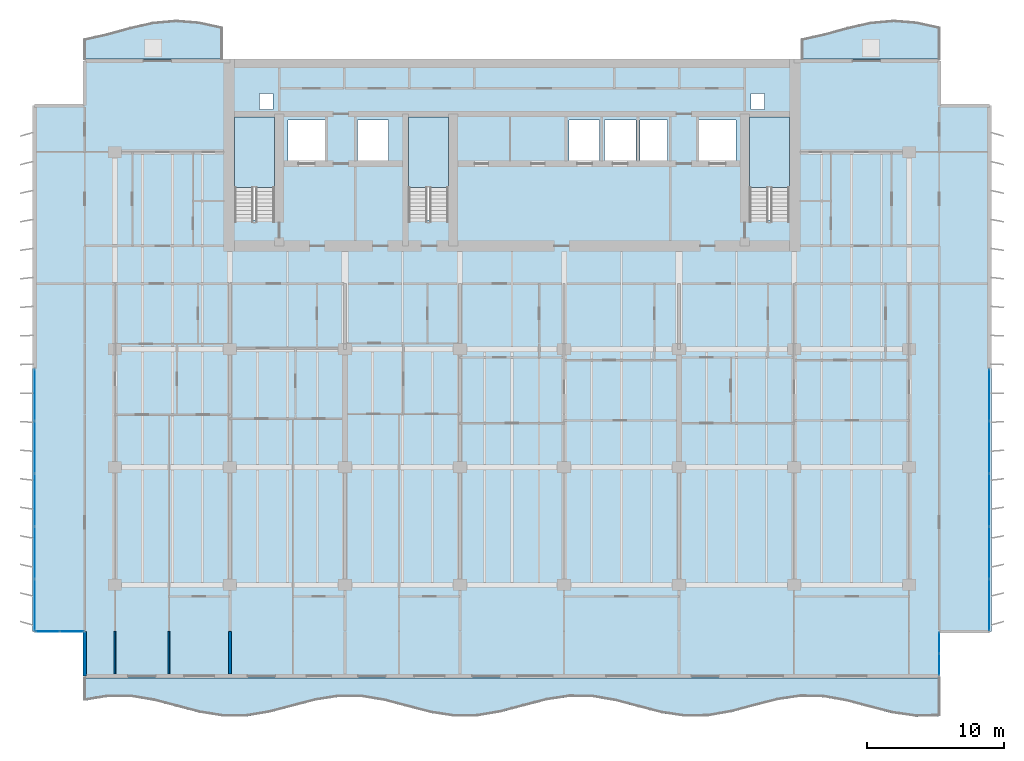
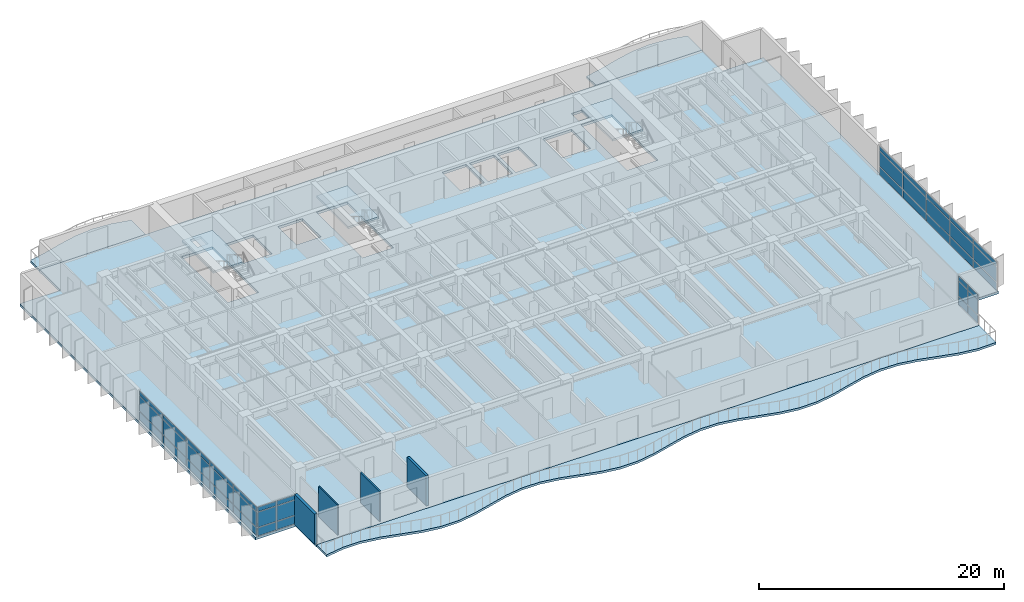
# One storey, part 5 of 16: 42 plates, 7 slabs, 4 walls, 7 elements without a shape of their own.
"""IFC4 building model written with IfcOpenShell, lengths in metres."""

from ifc_helpers import new_model, si_unit, direction, frame, frame_2d, origin, origin_2d, place, context, subcontext, project, spatial, polyline, rectangle, outline, extrude, material, layer, layer_set, type_object, element, aggregate, save


model = new_model("IFC4")

# Units and contexts
model_context = context("Model", 3, precision=1e-05, world=origin(), true_north=direction((0.0, 1.0)))
body_context = subcontext(model_context, "Body", "Model", "MODEL_VIEW")
ifc_project = project(units=[si_unit("LENGTHUNIT", "METRE"), si_unit("AREAUNIT", "SQUARE_METRE"), si_unit("VOLUMEUNIT", "CUBIC_METRE"), si_unit("PLANEANGLEUNIT", "RADIAN"), si_unit("MASSUNIT", "GRAM", prefix="KILO")], contexts=[model_context])

# Site, building, storey
site_placement = place(None, origin())
site = spatial("IfcSite", under=ifc_project, at=site_placement, CompositionType="ELEMENT")
building_placement = place(site_placement, origin())
building = spatial("IfcBuilding", under=site, at=building_placement, Name="Caelmar Bay Residences", CompositionType="ELEMENT")
storey_placement = place(building_placement, frame((0.0, 0.0, 148.800048828125)))
storey = spatial("IfcBuildingStorey", under=building, at=storey_placement, Name="L41", CompositionType="ELEMENT", Elevation=148.800048828125)

# Curtain wall, plates
ifc_material_1 = material(Name="Anodised bronze aluminium 6063-T6 and laminated glass", Category="aluminium")
ifc_layer_1 = layer(ifc_material_1, 0.179931640625)
ifc_layer_set_1 = layer_set([ifc_layer_1], Name="Anodised bronze aluminium 6063-T6 and laminated glass")
curtain_wall_type_1 = type_object("IfcCurtainWallType", Name="CW6-NTC", PredefinedType="NOTDEFINED", material=ifc_layer_set_1)
curtain_wall_1_placement = place(storey_placement, origin())
curtain_wall_1 = element("IfcCurtainWall", 1, at=curtain_wall_1_placement, inside=storey, type_object=curtain_wall_type_1, Name="CW6 curtain wall L41", PredefinedType="NOTDEFINED")
ifc_material_2 = material(Name="Bronze-tinted laminated low-E hurricane glass 28 mm", Category="glass")
ifc_layer_2 = layer(ifc_material_2, 0.028076171875)
ifc_layer_set_2 = layer_set([ifc_layer_2], Name="Bronze-tinted laminated low-E hurricane glass 28 mm")
plate_type = type_object("IfcPlateType", Name="CWP-GLZ28", PredefinedType="CURTAIN_PANEL", material=ifc_layer_set_2)
plate_1_placement = place(storey_placement, frame((4.982421875, 8.800048828125, 0.080078125), z_axis=(0.0, 0.0, 1.0), x_axis=(1.0, 0.0, 0.0)))
plate_1 = element("IfcPlate", 2, at=plate_1_placement, type_object=plate_type, Name="CW6 panel 1.1", PredefinedType="CURTAIN_PANEL", context=body_context, shape_type="SweptSolid", body=[
    extrude(rectangle(XDim=1.705078125, YDim=0.028076171875, at=origin_2d()), origin(), (0.0, 0.0, 1.0), 0.780029296875),
])
plate_2_placement = place(storey_placement, frame((4.982421875, 8.800048828125, 0.93994140625), z_axis=(0.0, 0.0, 1.0), x_axis=(1.0, 0.0, 0.0)))
plate_2 = element("IfcPlate", 3, at=plate_2_placement, type_object=plate_type, Name="CW6 panel 1.2", PredefinedType="CURTAIN_PANEL", context=body_context, shape_type="SweptSolid", body=[
    extrude(rectangle(XDim=1.705078125, YDim=0.028076171875, at=origin_2d()), origin(), (0.0, 0.0, 1.0), 1.469970703125),
])
plate_3_placement = place(storey_placement, frame((4.982421875, 8.800048828125, 2.48974609375), z_axis=(0.0, 0.0, 1.0), x_axis=(1.0, 0.0, 0.0)))
plate_3 = element("IfcPlate", 4, at=plate_3_placement, type_object=plate_type, Name="CW6 panel 1.3", PredefinedType="CURTAIN_PANEL", context=body_context, shape_type="SweptSolid", body=[
    extrude(rectangle(XDim=1.705078125, YDim=0.028076171875, at=origin_2d()), origin(), (0.0, 0.0, 1.0), 0.429931640625),
])
plate_4_placement = place(storey_placement, frame((6.767578125, 8.800048828125, 0.080078125), z_axis=(0.0, 0.0, 1.0), x_axis=(1.0, 0.0, 0.0)))
plate_4 = element("IfcPlate", 5, at=plate_4_placement, type_object=plate_type, Name="CW6 panel 2.1", PredefinedType="CURTAIN_PANEL", context=body_context, shape_type="SweptSolid", body=[
    extrude(rectangle(XDim=1.705078125, YDim=0.028076171875, at=origin_2d()), origin(), (0.0, 0.0, 1.0), 0.780029296875),
])
plate_5_placement = place(storey_placement, frame((6.767578125, 8.800048828125, 0.93994140625), z_axis=(0.0, 0.0, 1.0), x_axis=(1.0, 0.0, 0.0)))
plate_5 = element("IfcPlate", 6, at=plate_5_placement, type_object=plate_type, Name="CW6 panel 2.2", PredefinedType="CURTAIN_PANEL", context=body_context, shape_type="SweptSolid", body=[
    extrude(rectangle(XDim=1.705078125, YDim=0.028076171875, at=origin_2d()), origin(), (0.0, 0.0, 1.0), 1.469970703125),
])
plate_6_placement = place(storey_placement, frame((6.767578125, 8.800048828125, 2.48974609375), z_axis=(0.0, 0.0, 1.0), x_axis=(1.0, 0.0, 0.0)))
plate_6 = element("IfcPlate", 7, at=plate_6_placement, type_object=plate_type, Name="CW6 panel 2.3", PredefinedType="CURTAIN_PANEL", context=body_context, shape_type="SweptSolid", body=[
    extrude(rectangle(XDim=1.705078125, YDim=0.028076171875, at=origin_2d()), origin(), (0.0, 0.0, 1.0), 0.429931640625),
])
aggregate(curtain_wall_1, [plate_1, plate_2, plate_3, plate_4, plate_5, plate_6])

curtain_wall_2_placement = place(storey_placement, origin())
curtain_wall_2 = element("IfcCurtainWall", 8, at=curtain_wall_2_placement, inside=storey, type_object=curtain_wall_type_1, Name="CW6 curtain wall L41", PredefinedType="NOTDEFINED")
plate_7_placement = place(storey_placement, frame((70.10009765625, 6.382568359375, 0.080078125), z_axis=(0.0, 0.0, 1.0), x_axis=(0.0, 1.0, 0.0)))
plate_7 = element("IfcPlate", 9, at=plate_7_placement, type_object=plate_type, Name="CW6 panel 1.1", PredefinedType="CURTAIN_PANEL", context=body_context, shape_type="SweptSolid", body=[
    extrude(rectangle(XDim=1.5048828125, YDim=0.028076171875, at=origin_2d()), origin(), (0.0, 0.0, 1.0), 0.780029296875),
])
plate_8_placement = place(storey_placement, frame((70.10009765625, 6.382568359375, 0.93994140625), z_axis=(0.0, 0.0, 1.0), x_axis=(0.0, 1.0, 0.0)))
plate_8 = element("IfcPlate", 10, at=plate_8_placement, type_object=plate_type, Name="CW6 panel 1.2", PredefinedType="CURTAIN_PANEL", context=body_context, shape_type="SweptSolid", body=[
    extrude(rectangle(XDim=1.5048828125, YDim=0.028076171875, at=origin_2d()), origin(), (0.0, 0.0, 1.0), 1.469970703125),
])
plate_9_placement = place(storey_placement, frame((70.10009765625, 6.382568359375, 2.48974609375), z_axis=(0.0, 0.0, 1.0), x_axis=(0.0, 1.0, 0.0)))
plate_9 = element("IfcPlate", 11, at=plate_9_placement, type_object=plate_type, Name="CW6 panel 1.3", PredefinedType="CURTAIN_PANEL", context=body_context, shape_type="SweptSolid", body=[
    extrude(rectangle(XDim=1.5048828125, YDim=0.028076171875, at=origin_2d()), origin(), (0.0, 0.0, 1.0), 0.429931640625),
])
plate_10_placement = place(storey_placement, frame((70.10009765625, 7.967529296875, 0.080078125), z_axis=(0.0, 0.0, 1.0), x_axis=(0.0, 1.0, 0.0)))
plate_10 = element("IfcPlate", 12, at=plate_10_placement, type_object=plate_type, Name="CW6 panel 2.1", PredefinedType="CURTAIN_PANEL", context=body_context, shape_type="SweptSolid", body=[
    extrude(rectangle(XDim=1.5048828125, YDim=0.028076171875, at=origin_2d()), origin(), (0.0, 0.0, 1.0), 0.780029296875),
])
plate_11_placement = place(storey_placement, frame((70.10009765625, 7.967529296875, 0.93994140625), z_axis=(0.0, 0.0, 1.0), x_axis=(0.0, 1.0, 0.0)))
plate_11 = element("IfcPlate", 13, at=plate_11_placement, type_object=plate_type, Name="CW6 panel 2.2", PredefinedType="CURTAIN_PANEL", context=body_context, shape_type="SweptSolid", body=[
    extrude(rectangle(XDim=1.5048828125, YDim=0.028076171875, at=origin_2d()), origin(), (0.0, 0.0, 1.0), 1.469970703125),
])
plate_12_placement = place(storey_placement, frame((70.10009765625, 7.967529296875, 2.48974609375), z_axis=(0.0, 0.0, 1.0), x_axis=(0.0, 1.0, 0.0)))
plate_12 = element("IfcPlate", 14, at=plate_12_placement, type_object=plate_type, Name="CW6 panel 2.3", PredefinedType="CURTAIN_PANEL", context=body_context, shape_type="SweptSolid", body=[
    extrude(rectangle(XDim=1.5048828125, YDim=0.028076171875, at=origin_2d()), origin(), (0.0, 0.0, 1.0), 0.429931640625),
])
aggregate(curtain_wall_2, [plate_7, plate_8, plate_9, plate_10, plate_11, plate_12])

ifc_layer_3 = layer(ifc_material_1, 0.179931640625)
ifc_layer_set_3 = layer_set([ifc_layer_3], Name="Anodised bronze aluminium 6063-T6 and laminated glass")
curtain_wall_type_2 = type_object("IfcCurtainWallType", Name="CW3-Z2", PredefinedType="NOTDEFINED", material=ifc_layer_set_3)
curtain_wall_3_placement = place(storey_placement, origin())
curtain_wall_3 = element("IfcCurtainWall", 15, at=curtain_wall_3_placement, inside=storey, type_object=curtain_wall_type_2, Name="CW3 curtain wall L41", PredefinedType="NOTDEFINED")
plate_13_placement = place(storey_placement, frame((4.050048828125, 10.739990234375, 0.080078125), z_axis=(0.0, 0.0, 1.0), x_axis=(0.0, 1.0, 0.0)))
plate_13 = element("IfcPlate", 16, at=plate_13_placement, type_object=plate_type, Name="CW3 panel 1.1", PredefinedType="CURTAIN_PANEL", context=body_context, shape_type="SweptSolid", body=[
    extrude(rectangle(XDim=3.719970703125, YDim=0.028076171875, at=origin_2d()), origin(), (0.0, 0.0, 1.0), 0.780029296875),
])
plate_14_placement = place(storey_placement, frame((4.050048828125, 10.739990234375, 0.93994140625), z_axis=(0.0, 0.0, 1.0), x_axis=(0.0, 1.0, 0.0)))
plate_14 = element("IfcPlate", 17, at=plate_14_placement, type_object=plate_type, Name="CW3 panel 1.2", PredefinedType="CURTAIN_PANEL", context=body_context, shape_type="SweptSolid", body=[
    extrude(rectangle(XDim=3.719970703125, YDim=0.028076171875, at=origin_2d()), origin(), (0.0, 0.0, 1.0), 1.469970703125),
])
plate_15_placement = place(storey_placement, frame((4.050048828125, 10.739990234375, 2.48974609375), z_axis=(0.0, 0.0, 1.0), x_axis=(0.0, 1.0, 0.0)))
plate_15 = element("IfcPlate", 18, at=plate_15_placement, type_object=plate_type, Name="CW3 panel 1.3", PredefinedType="CURTAIN_PANEL", context=body_context, shape_type="SweptSolid", body=[
    extrude(rectangle(XDim=3.719970703125, YDim=0.028076171875, at=origin_2d()), origin(), (0.0, 0.0, 1.0), 0.429931640625),
])
plate_16_placement = place(storey_placement, frame((4.050048828125, 14.56005859375, 0.080078125), z_axis=(0.0, 0.0, 1.0), x_axis=(0.0, 1.0, 0.0)))
plate_16 = element("IfcPlate", 19, at=plate_16_placement, type_object=plate_type, Name="CW3 panel 2.1", PredefinedType="CURTAIN_PANEL", context=body_context, shape_type="SweptSolid", body=[
    extrude(rectangle(XDim=3.760009765625, YDim=0.028076171875, at=origin_2d()), origin(), (0.0, 0.0, 1.0), 0.780029296875),
])
plate_17_placement = place(storey_placement, frame((4.050048828125, 14.56005859375, 0.93994140625), z_axis=(0.0, 0.0, 1.0), x_axis=(0.0, 1.0, 0.0)))
plate_17 = element("IfcPlate", 20, at=plate_17_placement, type_object=plate_type, Name="CW3 panel 2.2", PredefinedType="CURTAIN_PANEL", context=body_context, shape_type="SweptSolid", body=[
    extrude(rectangle(XDim=3.760009765625, YDim=0.028076171875, at=origin_2d()), origin(), (0.0, 0.0, 1.0), 1.469970703125),
])
plate_18_placement = place(storey_placement, frame((4.050048828125, 14.56005859375, 2.48974609375), z_axis=(0.0, 0.0, 1.0), x_axis=(0.0, 1.0, 0.0)))
plate_18 = element("IfcPlate", 21, at=plate_18_placement, type_object=plate_type, Name="CW3 panel 2.3", PredefinedType="CURTAIN_PANEL", context=body_context, shape_type="SweptSolid", body=[
    extrude(rectangle(XDim=3.760009765625, YDim=0.028076171875, at=origin_2d()), origin(), (0.0, 0.0, 1.0), 0.429931640625),
])
plate_19_placement = place(storey_placement, frame((4.050048828125, 18.39990234375, 0.080078125), z_axis=(0.0, 0.0, 1.0), x_axis=(0.0, 1.0, 0.0)))
plate_19 = element("IfcPlate", 22, at=plate_19_placement, type_object=plate_type, Name="CW3 panel 3.1", PredefinedType="CURTAIN_PANEL", context=body_context, shape_type="SweptSolid", body=[
    extrude(rectangle(XDim=3.760009765625, YDim=0.028076171875, at=origin_2d()), origin(), (0.0, 0.0, 1.0), 0.780029296875),
])
plate_20_placement = place(storey_placement, frame((4.050048828125, 18.39990234375, 0.93994140625), z_axis=(0.0, 0.0, 1.0), x_axis=(0.0, 1.0, 0.0)))
plate_20 = element("IfcPlate", 23, at=plate_20_placement, type_object=plate_type, Name="CW3 panel 3.2", PredefinedType="CURTAIN_PANEL", context=body_context, shape_type="SweptSolid", body=[
    extrude(rectangle(XDim=3.760009765625, YDim=0.028076171875, at=origin_2d()), origin(), (0.0, 0.0, 1.0), 1.469970703125),
])
plate_21_placement = place(storey_placement, frame((4.050048828125, 18.39990234375, 2.48974609375), z_axis=(0.0, 0.0, 1.0), x_axis=(0.0, 1.0, 0.0)))
plate_21 = element("IfcPlate", 24, at=plate_21_placement, type_object=plate_type, Name="CW3 panel 3.3", PredefinedType="CURTAIN_PANEL", context=body_context, shape_type="SweptSolid", body=[
    extrude(rectangle(XDim=3.760009765625, YDim=0.028076171875, at=origin_2d()), origin(), (0.0, 0.0, 1.0), 0.429931640625),
])
plate_22_placement = place(storey_placement, frame((4.050048828125, 22.239990234375, 0.080078125), z_axis=(0.0, 0.0, 1.0), x_axis=(0.0, 1.0, 0.0)))
plate_22 = element("IfcPlate", 25, at=plate_22_placement, type_object=plate_type, Name="CW3 panel 4.1", PredefinedType="CURTAIN_PANEL", context=body_context, shape_type="SweptSolid", body=[
    extrude(rectangle(XDim=3.760009765625, YDim=0.028076171875, at=origin_2d()), origin(), (0.0, 0.0, 1.0), 0.780029296875),
])
plate_23_placement = place(storey_placement, frame((4.050048828125, 22.239990234375, 0.93994140625), z_axis=(0.0, 0.0, 1.0), x_axis=(0.0, 1.0, 0.0)))
plate_23 = element("IfcPlate", 26, at=plate_23_placement, type_object=plate_type, Name="CW3 panel 4.2", PredefinedType="CURTAIN_PANEL", context=body_context, shape_type="SweptSolid", body=[
    extrude(rectangle(XDim=3.760009765625, YDim=0.028076171875, at=origin_2d()), origin(), (0.0, 0.0, 1.0), 1.469970703125),
])
plate_24_placement = place(storey_placement, frame((4.050048828125, 22.239990234375, 2.48974609375), z_axis=(0.0, 0.0, 1.0), x_axis=(0.0, 1.0, 0.0)))
plate_24 = element("IfcPlate", 27, at=plate_24_placement, type_object=plate_type, Name="CW3 panel 4.3", PredefinedType="CURTAIN_PANEL", context=body_context, shape_type="SweptSolid", body=[
    extrude(rectangle(XDim=3.760009765625, YDim=0.028076171875, at=origin_2d()), origin(), (0.0, 0.0, 1.0), 0.429931640625),
])
plate_25_placement = place(storey_placement, frame((4.050048828125, 26.06005859375, 0.080078125), z_axis=(0.0, 0.0, 1.0), x_axis=(0.0, 1.0, 0.0)))
plate_25 = element("IfcPlate", 28, at=plate_25_placement, type_object=plate_type, Name="CW3 panel 5.1", PredefinedType="CURTAIN_PANEL", context=body_context, shape_type="SweptSolid", body=[
    extrude(rectangle(XDim=3.719970703125, YDim=0.028076171875, at=origin_2d()), origin(), (0.0, 0.0, 1.0), 0.780029296875),
])
plate_26_placement = place(storey_placement, frame((4.050048828125, 26.06005859375, 0.93994140625), z_axis=(0.0, 0.0, 1.0), x_axis=(0.0, 1.0, 0.0)))
plate_26 = element("IfcPlate", 29, at=plate_26_placement, type_object=plate_type, Name="CW3 panel 5.2", PredefinedType="CURTAIN_PANEL", context=body_context, shape_type="SweptSolid", body=[
    extrude(rectangle(XDim=3.719970703125, YDim=0.028076171875, at=origin_2d()), origin(), (0.0, 0.0, 1.0), 1.469970703125),
])
plate_27_placement = place(storey_placement, frame((4.050048828125, 26.06005859375, 2.48974609375), z_axis=(0.0, 0.0, 1.0), x_axis=(0.0, 1.0, 0.0)))
plate_27 = element("IfcPlate", 30, at=plate_27_placement, type_object=plate_type, Name="CW3 panel 5.3", PredefinedType="CURTAIN_PANEL", context=body_context, shape_type="SweptSolid", body=[
    extrude(rectangle(XDim=3.719970703125, YDim=0.028076171875, at=origin_2d()), origin(), (0.0, 0.0, 1.0), 0.429931640625),
])
aggregate(curtain_wall_3, [plate_13, plate_14, plate_15, plate_16, plate_17, plate_18, plate_19, plate_20, plate_21, plate_22, plate_23, plate_24, plate_25, plate_26, plate_27])

curtain_wall_4_placement = place(storey_placement, origin())
curtain_wall_4 = element("IfcCurtainWall", 31, at=curtain_wall_4_placement, inside=storey, type_object=curtain_wall_type_2, Name="CW3 curtain wall L41", PredefinedType="NOTDEFINED")
plate_28_placement = place(storey_placement, frame((73.75, 26.06005859375, 0.080078125), z_axis=(0.0, 0.0, 1.0), x_axis=(0.0, -1.0, 0.0)))
plate_28 = element("IfcPlate", 32, at=plate_28_placement, type_object=plate_type, Name="CW3 panel 1.1", PredefinedType="CURTAIN_PANEL", context=body_context, shape_type="SweptSolid", body=[
    extrude(rectangle(XDim=3.719970703125, YDim=0.028076171875, at=origin_2d()), origin(), (0.0, 0.0, 1.0), 0.780029296875),
])
plate_29_placement = place(storey_placement, frame((73.75, 26.06005859375, 0.93994140625), z_axis=(0.0, 0.0, 1.0), x_axis=(0.0, -1.0, 0.0)))
plate_29 = element("IfcPlate", 33, at=plate_29_placement, type_object=plate_type, Name="CW3 panel 1.2", PredefinedType="CURTAIN_PANEL", context=body_context, shape_type="SweptSolid", body=[
    extrude(rectangle(XDim=3.719970703125, YDim=0.028076171875, at=origin_2d()), origin(), (0.0, 0.0, 1.0), 1.469970703125),
])
plate_30_placement = place(storey_placement, frame((73.75, 26.06005859375, 2.48974609375), z_axis=(0.0, 0.0, 1.0), x_axis=(0.0, -1.0, 0.0)))
plate_30 = element("IfcPlate", 34, at=plate_30_placement, type_object=plate_type, Name="CW3 panel 1.3", PredefinedType="CURTAIN_PANEL", context=body_context, shape_type="SweptSolid", body=[
    extrude(rectangle(XDim=3.719970703125, YDim=0.028076171875, at=origin_2d()), origin(), (0.0, 0.0, 1.0), 0.429931640625),
])
plate_31_placement = place(storey_placement, frame((73.75, 22.239990234375, 0.080078125), z_axis=(0.0, 0.0, 1.0), x_axis=(0.0, -1.0, 0.0)))
plate_31 = element("IfcPlate", 35, at=plate_31_placement, type_object=plate_type, Name="CW3 panel 2.1", PredefinedType="CURTAIN_PANEL", context=body_context, shape_type="SweptSolid", body=[
    extrude(rectangle(XDim=3.760009765625, YDim=0.028076171875, at=origin_2d()), origin(), (0.0, 0.0, 1.0), 0.780029296875),
])
plate_32_placement = place(storey_placement, frame((73.75, 22.239990234375, 0.93994140625), z_axis=(0.0, 0.0, 1.0), x_axis=(0.0, -1.0, 0.0)))
plate_32 = element("IfcPlate", 36, at=plate_32_placement, type_object=plate_type, Name="CW3 panel 2.2", PredefinedType="CURTAIN_PANEL", context=body_context, shape_type="SweptSolid", body=[
    extrude(rectangle(XDim=3.760009765625, YDim=0.028076171875, at=origin_2d()), origin(), (0.0, 0.0, 1.0), 1.469970703125),
])
plate_33_placement = place(storey_placement, frame((73.75, 22.239990234375, 2.48974609375), z_axis=(0.0, 0.0, 1.0), x_axis=(0.0, -1.0, 0.0)))
plate_33 = element("IfcPlate", 37, at=plate_33_placement, type_object=plate_type, Name="CW3 panel 2.3", PredefinedType="CURTAIN_PANEL", context=body_context, shape_type="SweptSolid", body=[
    extrude(rectangle(XDim=3.760009765625, YDim=0.028076171875, at=origin_2d()), origin(), (0.0, 0.0, 1.0), 0.429931640625),
])
plate_34_placement = place(storey_placement, frame((73.75, 18.39990234375, 0.080078125), z_axis=(0.0, 0.0, 1.0), x_axis=(0.0, -1.0, 0.0)))
plate_34 = element("IfcPlate", 38, at=plate_34_placement, type_object=plate_type, Name="CW3 panel 3.1", PredefinedType="CURTAIN_PANEL", context=body_context, shape_type="SweptSolid", body=[
    extrude(rectangle(XDim=3.760009765625, YDim=0.028076171875, at=origin_2d()), origin(), (0.0, 0.0, 1.0), 0.780029296875),
])
plate_35_placement = place(storey_placement, frame((73.75, 18.39990234375, 0.93994140625), z_axis=(0.0, 0.0, 1.0), x_axis=(0.0, -1.0, 0.0)))
plate_35 = element("IfcPlate", 39, at=plate_35_placement, type_object=plate_type, Name="CW3 panel 3.2", PredefinedType="CURTAIN_PANEL", context=body_context, shape_type="SweptSolid", body=[
    extrude(rectangle(XDim=3.760009765625, YDim=0.028076171875, at=origin_2d()), origin(), (0.0, 0.0, 1.0), 1.469970703125),
])
plate_36_placement = place(storey_placement, frame((73.75, 18.39990234375, 2.48974609375), z_axis=(0.0, 0.0, 1.0), x_axis=(0.0, -1.0, 0.0)))
plate_36 = element("IfcPlate", 40, at=plate_36_placement, type_object=plate_type, Name="CW3 panel 3.3", PredefinedType="CURTAIN_PANEL", context=body_context, shape_type="SweptSolid", body=[
    extrude(rectangle(XDim=3.760009765625, YDim=0.028076171875, at=origin_2d()), origin(), (0.0, 0.0, 1.0), 0.429931640625),
])
plate_37_placement = place(storey_placement, frame((73.75, 14.56005859375, 0.080078125), z_axis=(0.0, 0.0, 1.0), x_axis=(0.0, -1.0, 0.0)))
plate_37 = element("IfcPlate", 41, at=plate_37_placement, type_object=plate_type, Name="CW3 panel 4.1", PredefinedType="CURTAIN_PANEL", context=body_context, shape_type="SweptSolid", body=[
    extrude(rectangle(XDim=3.760009765625, YDim=0.028076171875, at=origin_2d()), origin(), (0.0, 0.0, 1.0), 0.780029296875),
])
plate_38_placement = place(storey_placement, frame((73.75, 14.56005859375, 0.93994140625), z_axis=(0.0, 0.0, 1.0), x_axis=(0.0, -1.0, 0.0)))
plate_38 = element("IfcPlate", 42, at=plate_38_placement, type_object=plate_type, Name="CW3 panel 4.2", PredefinedType="CURTAIN_PANEL", context=body_context, shape_type="SweptSolid", body=[
    extrude(rectangle(XDim=3.760009765625, YDim=0.028076171875, at=origin_2d()), origin(), (0.0, 0.0, 1.0), 1.469970703125),
])
plate_39_placement = place(storey_placement, frame((73.75, 14.56005859375, 2.48974609375), z_axis=(0.0, 0.0, 1.0), x_axis=(0.0, -1.0, 0.0)))
plate_39 = element("IfcPlate", 43, at=plate_39_placement, type_object=plate_type, Name="CW3 panel 4.3", PredefinedType="CURTAIN_PANEL", context=body_context, shape_type="SweptSolid", body=[
    extrude(rectangle(XDim=3.760009765625, YDim=0.028076171875, at=origin_2d()), origin(), (0.0, 0.0, 1.0), 0.429931640625),
])
plate_40_placement = place(storey_placement, frame((73.75, 10.739990234375, 0.080078125), z_axis=(0.0, 0.0, 1.0), x_axis=(0.0, -1.0, 0.0)))
plate_40 = element("IfcPlate", 44, at=plate_40_placement, type_object=plate_type, Name="CW3 panel 5.1", PredefinedType="CURTAIN_PANEL", context=body_context, shape_type="SweptSolid", body=[
    extrude(rectangle(XDim=3.719970703125, YDim=0.028076171875, at=origin_2d()), origin(), (0.0, 0.0, 1.0), 0.780029296875),
])
plate_41_placement = place(storey_placement, frame((73.75, 10.739990234375, 0.93994140625), z_axis=(0.0, 0.0, 1.0), x_axis=(0.0, -1.0, 0.0)))
plate_41 = element("IfcPlate", 45, at=plate_41_placement, type_object=plate_type, Name="CW3 panel 5.2", PredefinedType="CURTAIN_PANEL", context=body_context, shape_type="SweptSolid", body=[
    extrude(rectangle(XDim=3.719970703125, YDim=0.028076171875, at=origin_2d()), origin(), (0.0, 0.0, 1.0), 1.469970703125),
])
plate_42_placement = place(storey_placement, frame((73.75, 10.739990234375, 2.48974609375), z_axis=(0.0, 0.0, 1.0), x_axis=(0.0, -1.0, 0.0)))
plate_42 = element("IfcPlate", 46, at=plate_42_placement, type_object=plate_type, Name="CW3 panel 5.3", PredefinedType="CURTAIN_PANEL", context=body_context, shape_type="SweptSolid", body=[
    extrude(rectangle(XDim=3.719970703125, YDim=0.028076171875, at=origin_2d()), origin(), (0.0, 0.0, 1.0), 0.429931640625),
])
aggregate(curtain_wall_4, [plate_28, plate_29, plate_30, plate_31, plate_32, plate_33, plate_34, plate_35, plate_36, plate_37, plate_38, plate_39, plate_40, plate_41, plate_42])

# Slabs
ifc_material_3 = material(Name="Concrete f'c 40 MPa (6,000 psi)", Category="concrete")
ifc_layer_4 = layer(ifc_material_3, 0.219970703125)
ifc_layer_set_4 = layer_set([ifc_layer_4], Name="Concrete f'c 40 MPa (6,000 psi)")
slab_type_1 = type_object("IfcSlabType", Name="SLB-BAL-220", PredefinedType="FLOOR", material=ifc_layer_set_4)
slab_1_placement = place(storey_placement, frame((0.0, 0.0, -0.219970703125)))
element("IfcSlab", 47, at=slab_1_placement, inside=storey, type_object=slab_type_1, Name="L41 Sinusoidal Tree-Balcony Slab south", PredefinedType="FLOOR", context=body_context, shape_type="SweptSolid", body=[
    extrude(outline(polyline([(7.699951171875, 3.74072265625), (9.386474609375, 4.013916015625), (11.072998046875, 4.01220703125), (12.759521484375, 3.736328125), (14.44580078125, 3.292724609375), (16.13232421875, 2.851806640625), (17.81884765625, 2.58349609375), (19.50537109375, 2.5908203125), (21.19189453125, 2.87109375), (22.87841796875, 3.31640625), (24.56494140625, 3.75537109375), (26.25146484375, 4.019287109375), (27.937744140625, 4.006103515625), (29.624267578125, 3.721435546875), (31.310791015625, 3.2744140625), (32.997314453125, 2.83740234375), (34.683837890625, 2.578369140625), (36.370361328125, 2.596923828125), (38.056884765625, 2.885986328125), (39.7431640625, 3.33447265625), (41.4296875, 3.769775390625), (43.1162109375, 4.024169921875), (44.802734375, 4.0), (46.4892578125, 3.706298828125), (48.17578125, 3.25634765625), (49.8623046875, 2.8232421875), (51.548583984375, 2.573486328125), (53.235107421875, 2.603515625), (54.921630859375, 2.9013671875), (56.608154296875, 3.352783203125), (58.294677734375, 3.78369140625), (59.981201171875, 4.02880859375), (61.66748046875, 3.9931640625), (63.35400390625, 3.69091796875), (65.04052734375, 3.23828125), (66.72705078125, 2.809326171875), (68.41357421875, 2.569091796875), (70.10009765625, 2.6103515625), (70.10009765625, 5.39990234375), (7.699951171875, 5.39990234375), (7.699951171875, 3.74072265625)])), origin(), (0.0, 0.0, 1.0), 0.219970703125),
])
slab_2_placement = place(storey_placement, frame((0.0, 0.0, -0.219970703125)))
element("IfcSlab", 48, at=slab_2_placement, inside=storey, type_object=slab_type_1, Name="L41 Sinusoidal Tree-Balcony Slab north_west", PredefinedType="FLOOR", context=body_context, shape_type="SweptSolid", body=[
    extrude(outline(polyline([(7.699951171875, 50.60009765625), (17.699951171875, 50.60009765625), (17.699951171875, 52.952880859375), (16.033203125, 53.317626953125), (14.36669921875, 53.449951171875), (12.699951171875, 53.300048828125), (11.033203125, 52.924560546875), (9.36669921875, 52.464599609375), (7.699951171875, 52.09326171875), (7.699951171875, 50.60009765625)])), origin(), (0.0, 0.0, 1.0), 0.219970703125),
])
slab_3_placement = place(storey_placement, frame((0.0, 0.0, -0.219970703125)))
element("IfcSlab", 49, at=slab_3_placement, inside=storey, type_object=slab_type_1, Name="L41 Sinusoidal Tree-Balcony Slab north_east", PredefinedType="FLOOR", context=body_context, shape_type="SweptSolid", body=[
    extrude(outline(polyline([(60.10009765625, 50.60009765625), (70.10009765625, 50.60009765625), (70.10009765625, 52.952880859375), (68.433349609375, 53.317626953125), (66.7666015625, 53.449951171875), (65.10009765625, 53.300048828125), (63.433349609375, 52.924560546875), (61.7666015625, 52.464599609375), (60.10009765625, 52.09326171875), (60.10009765625, 50.60009765625)])), origin(), (0.0, 0.0, 1.0), 0.219970703125),
])

# Stair, slab
stair_type = type_object("IfcStairType", Name="ST-TYP-165", PredefinedType="HALF_TURN_STAIR", material=ifc_material_3)
stair_1_placement = place(storey_placement, origin())
stair_1 = element("IfcStair", 50, at=stair_1_placement, inside=storey, type_object=stair_type, Name="L41 West Smokeproof Exit Stair ST1", PredefinedType="HALF_TURN_STAIR")
ifc_layer_5 = layer(ifc_material_3, 0.199951171875)
ifc_layer_set_5 = layer_set([ifc_layer_5], Name="Concrete f'c 40 MPa (6,000 psi)")
slab_type_2 = type_object("IfcSlabType", Name="SLB-LND-200", PredefinedType="LANDING", material=ifc_layer_set_5)
slab_4_placement = place(storey_placement, frame((0.0, 0.0, 1.449951171875)))
slab_4 = element("IfcSlab", 51, at=slab_4_placement, type_object=slab_type_2, Name="ST1 landing 1", PredefinedType="LANDING", context=body_context, shape_type="SweptSolid", body=[
    extrude(outline(polyline([(21.550048828125, 41.219970703125), (21.550048828125, 46.35009765625), (18.64990234375, 46.35009765625), (18.64990234375, 41.219970703125), (21.550048828125, 41.219970703125)])), origin(), (0.0, 0.0, 1.0), 0.199951171875),
])
aggregate(stair_1, [slab_4])

stair_2_placement = place(storey_placement, origin())
stair_2 = element("IfcStair", 52, at=stair_2_placement, inside=storey, type_object=stair_type, Name="L41 East Smokeproof Exit Stair ST2", PredefinedType="HALF_TURN_STAIR")
slab_5_placement = place(storey_placement, frame((0.0, 0.0, 1.449951171875)))
slab_5 = element("IfcSlab", 53, at=slab_5_placement, type_object=slab_type_2, Name="ST2 landing 1", PredefinedType="LANDING", context=body_context, shape_type="SweptSolid", body=[
    extrude(outline(polyline([(59.14990234375, 41.219970703125), (59.14990234375, 46.35009765625), (56.25, 46.35009765625), (56.25, 41.219970703125), (59.14990234375, 41.219970703125)])), origin(), (0.0, 0.0, 1.0), 0.199951171875),
])
aggregate(stair_2, [slab_5])

stair_3_placement = place(storey_placement, origin())
stair_3 = element("IfcStair", 54, at=stair_3_placement, inside=storey, type_object=stair_type, Name="L41 Central Smokeproof Exit Stair ST3", PredefinedType="HALF_TURN_STAIR")
slab_6_placement = place(storey_placement, frame((0.0, 0.0, 1.449951171875)))
slab_6 = element("IfcSlab", 55, at=slab_6_placement, type_object=slab_type_2, Name="ST3 landing 1", PredefinedType="LANDING", context=body_context, shape_type="SweptSolid", body=[
    extrude(outline(polyline([(34.25, 41.219970703125), (34.25, 46.35009765625), (31.35009765625, 46.35009765625), (31.35009765625, 41.219970703125), (34.25, 41.219970703125)])), origin(), (0.0, 0.0, 1.0), 0.199951171875),
])
aggregate(stair_3, [slab_6])

# Slab
ifc_layer_6 = layer(ifc_material_3, 0.25)
ifc_layer_set_6 = layer_set([ifc_layer_6], Name="Concrete f'c 40 MPa (6,000 psi)")
slab_type_3 = type_object("IfcSlabType", Name="SLB-RES-250", PredefinedType="FLOOR", material=ifc_layer_set_6)
slab_7_placement = place(storey_placement, frame((0.0, 0.0, -0.25)))
element("IfcSlab", 56, at=slab_7_placement, inside=storey, type_object=slab_type_3, Name="L41 Structural Floor Slab", PredefinedType="FLOOR", context=body_context, shape_type="SweptSolid", body=[
    extrude(outline(polyline([(7.699951171875, 5.39990234375), (70.10009765625, 5.39990234375), (70.10009765625, 8.800048828125), (73.89990234375, 8.800048828125), (73.89990234375, 47.199951171875), (70.10009765625, 47.199951171875), (70.10009765625, 50.60009765625), (7.699951171875, 50.60009765625), (7.699951171875, 47.199951171875), (3.89990234375, 47.199951171875), (3.89990234375, 8.800048828125), (7.699951171875, 8.800048828125), (7.699951171875, 5.39990234375)]), holes=[polyline([(18.64990234375, 38.85009765625), (21.550048828125, 38.85009765625), (21.550048828125, 46.35009765625), (18.64990234375, 46.35009765625), (18.64990234375, 38.85009765625)]), polyline([(56.25, 38.85009765625), (59.14990234375, 38.85009765625), (59.14990234375, 46.35009765625), (56.25, 46.35009765625), (56.25, 38.85009765625)]), polyline([(31.35009765625, 38.85009765625), (34.25, 38.85009765625), (34.25, 46.35009765625), (31.35009765625, 46.35009765625), (31.35009765625, 38.85009765625)]), polyline([(22.550048828125, 43.050048828125), (25.25, 43.050048828125), (25.25, 46.14990234375), (22.550048828125, 46.14990234375), (22.550048828125, 43.050048828125)]), polyline([(52.550048828125, 43.050048828125), (55.25, 43.050048828125), (55.25, 46.14990234375), (52.550048828125, 46.14990234375), (52.550048828125, 43.050048828125)]), polyline([(43.050048828125, 43.14990234375), (45.300048828125, 43.14990234375), (45.300048828125, 46.14990234375), (43.050048828125, 46.14990234375), (43.050048828125, 43.14990234375)]), polyline([(45.64990234375, 43.14990234375), (47.949951171875, 43.14990234375), (47.949951171875, 46.14990234375), (45.64990234375, 46.14990234375), (45.64990234375, 43.14990234375)]), polyline([(48.25, 43.14990234375), (50.25, 43.14990234375), (50.25, 46.14990234375), (48.25, 46.14990234375), (48.25, 43.14990234375)]), polyline([(27.60009765625, 43.14990234375), (29.89990234375, 43.14990234375), (29.89990234375, 46.14990234375), (27.60009765625, 46.14990234375), (27.60009765625, 43.14990234375)]), polyline([(20.449951171875, 46.89990234375), (21.449951171875, 46.89990234375), (21.449951171875, 48.10009765625), (20.449951171875, 48.10009765625), (20.449951171875, 46.89990234375)]), polyline([(56.35009765625, 46.89990234375), (57.35009765625, 46.89990234375), (57.35009765625, 48.10009765625), (56.35009765625, 48.10009765625), (56.35009765625, 46.89990234375)])]), origin(), (0.0, 0.0, 1.0), 0.25),
])

# Walls
ifc_material_4 = material(Name="Precast concrete f'c 40 MPa (6,000 psi)", Category="concrete")
ifc_layer_7 = layer(ifc_material_4, 0.25)
ifc_layer_set_7 = layer_set([ifc_layer_7], Name="Precast concrete f'c 40 MPa (6,000 psi)")
wall_type_1 = type_object("IfcWallType", Name="W-EXT-250", PredefinedType="ELEMENTEDWALL", material=ifc_layer_set_7)
wall_1_placement = place(storey_placement, frame((7.699951171875, 8.800048828125, 0.0), z_axis=(0.0, 0.0, 1.0), x_axis=(0.0, -1.0, 0.0)))
element("IfcWall", 57, at=wall_1_placement, inside=storey, type_object=wall_type_1, Name="L41 SW Notch Return Wall", PredefinedType="ELEMENTEDWALL", context=body_context, shape_type="SweptSolid", body=[
    extrude(rectangle(XDim=3.25, YDim=0.25, at=frame_2d((1.625, 0.0))), origin(), (0.0, 0.0, 1.0), 3.0),
])
ifc_material_5 = material(Name="Acoustic metal-stud gypsum partition 120 mm")
ifc_layer_8 = layer(ifc_material_5, 0.1201171875)
ifc_layer_set_8 = layer_set([ifc_layer_8], Name="Acoustic metal-stud gypsum partition 120 mm")
wall_type_2 = type_object("IfcWallType", Name="W-PRT-120", PredefinedType="PARTITIONING", material=ifc_layer_set_8)
for number, where, z_axis, x_axis, name in (
    (58, (9.89990234375, 5.695068359375, 0.0), (0.0, 0.0, 1.0), (0.0, 1.0, 0.0), "L41 Partition Wall V007"),
    (59, (13.847900390625, 5.695068359375, 0.0), (0.0, 0.0, 1.0), (0.0, 1.0, 0.0), "L41 Partition Wall V012"),
):
    element("IfcWall", number, at=place(storey_placement, frame(where, z_axis=z_axis, x_axis=x_axis)), inside=storey, type_object=wall_type_2, Name=name, PredefinedType="PARTITIONING", context=body_context, shape_type="SweptSolid", body=[
        extrude(rectangle(XDim=3.10498046875, YDim=0.1201171875, at=frame_2d((1.552490234375, 0.0))), origin(), (0.0, 0.0, 1.0), 3.0),
    ])
ifc_material_6 = material(Name="Acoustic twin-stud fire-rated inter-tenancy partition 200 mm")
ifc_layer_9 = layer(ifc_material_6, 0.199951171875)
ifc_layer_set_9 = layer_set([ifc_layer_9], Name="Acoustic twin-stud fire-rated inter-tenancy partition 200 mm")
wall_type_3 = type_object("IfcWallType", Name="W-PTY-200", PredefinedType="PARTITIONING", material=ifc_layer_set_9)
wall_2_placement = place(storey_placement, frame((18.300048828125, 5.695068359375, 0.0), z_axis=(0.0, 0.0, 1.0), x_axis=(0.0, 1.0, 0.0)))
element("IfcWall", 60, at=wall_2_placement, inside=storey, type_object=wall_type_3, Name="L41 Partition Wall V017", PredefinedType="PARTITIONING", context=body_context, shape_type="SweptSolid", body=[
    extrude(rectangle(XDim=3.10498046875, YDim=0.199951171875, at=frame_2d((1.552490234375, 0.0))), origin(), (0.0, 0.0, 1.0), 3.0),
])

save(model, "model.ifc")
